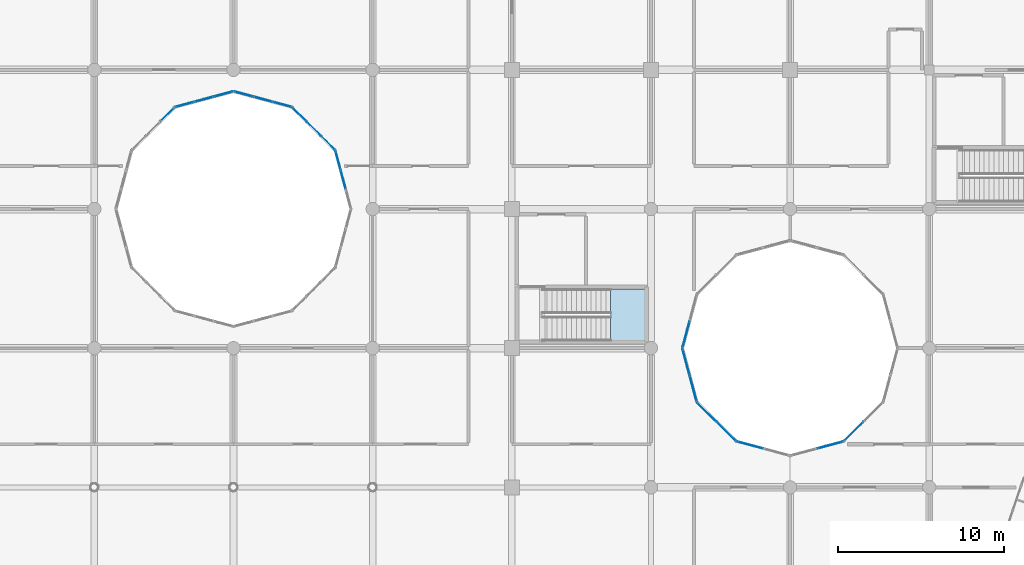
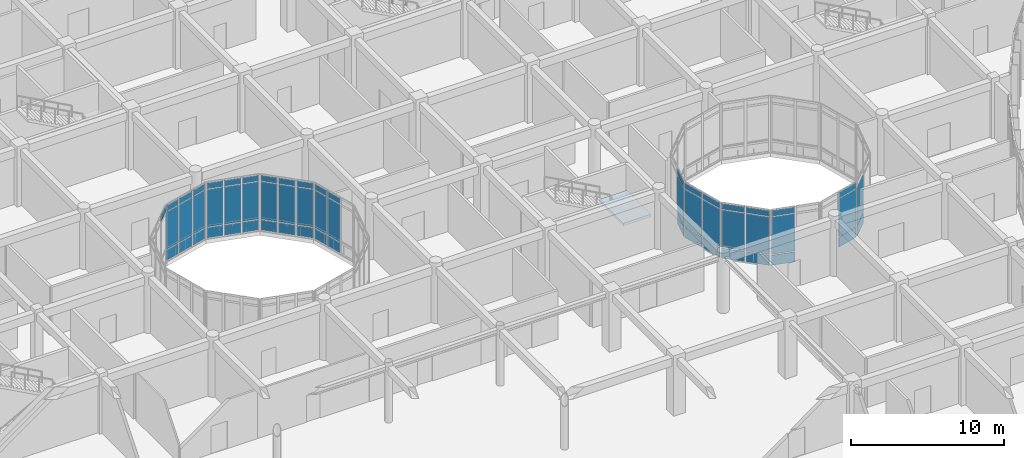
# One storey, part 74 of 138: 57 plates, 1 slab, 12 elements without a shape of their own.
"""IFC4 building model written with IfcOpenShell, lengths in metres."""

from ifc_helpers import new_model, si_unit, direction, frame, origin, origin_2d, place, context, subcontext, project, spatial, polyline, rectangle, outline, extrude, material, layer, layer_set, type_object, element, aggregate, save


model = new_model("IFC4")

# Units and contexts
model_context = context("Model", 3, precision=1e-05, world=origin(), true_north=direction((0.0, 1.0)))
body_context = subcontext(model_context, "Body", "Model", "MODEL_VIEW")
ifc_project = project(units=[si_unit("LENGTHUNIT", "METRE"), si_unit("AREAUNIT", "SQUARE_METRE"), si_unit("VOLUMEUNIT", "CUBIC_METRE"), si_unit("PLANEANGLEUNIT", "RADIAN"), si_unit("MASSUNIT", "GRAM", prefix="KILO")], contexts=[model_context])

# Site, building, storey
site_placement = place(None, origin())
site = spatial("IfcSite", under=ifc_project, at=site_placement, CompositionType="ELEMENT")
building_placement = place(site_placement, origin())
building = spatial("IfcBuilding", under=site, at=building_placement, Name="Bramfleet General Hospital", CompositionType="ELEMENT")
storey_placement = place(building_placement, origin())
storey = spatial("IfcBuildingStorey", under=building, at=storey_placement, Name="L00", CompositionType="ELEMENT", Elevation=0.0)

# Curtain wall, plates
ifc_material_1 = material(Name="Anodised aluminium and low-E triple glazing", Category="aluminium")
ifc_layer_1 = layer(ifc_material_1, 0.179931640625, Name="CWT-CW-15")
ifc_layer_set_1 = layer_set([ifc_layer_1], Name="Anodised aluminium and low-E triple glazing")
curtain_wall_type_1 = type_object("IfcCurtainWallType", Name="CWT-CW-15", PredefinedType="USERDEFINED", material=ifc_layer_set_1)
curtain_wall_1_placement = place(storey_placement, origin())
curtain_wall_1 = element("IfcCurtainWall", 1, at=curtain_wall_1_placement, inside=storey, type_object=curtain_wall_type_1, Name="L00 Central Diagnostic Light Court Curtain Wall 7.1", ObjectType="Stick curtain wall", PredefinedType="USERDEFINED")
ifc_material_2 = material(Name="Low-E laminated safety glass", Category="glass")
ifc_layer_2 = layer(ifc_material_2, 0.031982421875, Name="CWP-GLZ-2")
ifc_layer_set_2 = layer_set([ifc_layer_2], Name="Low-E laminated safety glass")
plate_type = type_object("IfcPlateType", Name="CWP-GLZ-2", PredefinedType="CURTAIN_PANEL", material=ifc_layer_set_2)
plate_1_placement = place(storey_placement, frame((90.62451171875, 77.375, 0.06494140625), z_axis=(0.0, 0.0, 1.0), x_axis=(-0.258763286618, 0.965940765005, 0.0)))
plate_1 = element("IfcPlate", 2, at=plate_1_placement, type_object=plate_type, Name="CW-15 panel 2.1", PredefinedType="CURTAIN_PANEL", context=body_context, shape_type="SweptSolid", body=[
    extrude(rectangle(XDim=1.155029296875, YDim=0.031982421875, at=origin_2d()), origin(), (0.0, 0.0, 1.0), 0.802490234375),
])
plate_2_placement = place(storey_placement, frame((90.62451171875, 77.375, 0.932373046875), z_axis=(0.0, 0.0, 1.0), x_axis=(-0.258763286618, 0.965940765005, 0.0)))
plate_2 = element("IfcPlate", 3, at=plate_2_placement, type_object=plate_type, Name="CW-15 panel 2.2", PredefinedType="CURTAIN_PANEL", context=body_context, shape_type="SweptSolid", body=[
    extrude(rectangle(XDim=1.155029296875, YDim=0.031982421875, at=origin_2d()), origin(), (0.0, 0.0, 1.0), 2.97509765625),
])
plate_3_placement = place(storey_placement, frame((90.62451171875, 77.375, 3.97265625), z_axis=(0.0, 0.0, 1.0), x_axis=(-0.258763286618, 0.965940765005, 0.0)))
plate_3 = element("IfcPlate", 4, at=plate_3_placement, type_object=plate_type, Name="CW-15 panel 2.3", PredefinedType="CURTAIN_PANEL", context=body_context, shape_type="SweptSolid", body=[
    extrude(rectangle(XDim=1.155029296875, YDim=0.031982421875, at=origin_2d()), origin(), (0.0, 0.0, 1.0), 0.452392578125),
])
plate_4_placement = place(storey_placement, frame((90.31201171875, 78.54150390625, 0.06494140625), z_axis=(0.0, 0.0, 1.0), x_axis=(-0.258763286618, 0.965940765005, 0.0)))
plate_4 = element("IfcPlate", 5, at=plate_4_placement, type_object=plate_type, Name="CW-15 panel 3.1", PredefinedType="CURTAIN_PANEL", context=body_context, shape_type="SweptSolid", body=[
    extrude(rectangle(XDim=1.1201171875, YDim=0.031982421875, at=origin_2d()), origin(), (0.0, 0.0, 1.0), 0.802490234375),
])
plate_5_placement = place(storey_placement, frame((90.31201171875, 78.54150390625, 0.932373046875), z_axis=(0.0, 0.0, 1.0), x_axis=(-0.258763286618, 0.965940765005, 0.0)))
plate_5 = element("IfcPlate", 6, at=plate_5_placement, type_object=plate_type, Name="CW-15 panel 3.2", PredefinedType="CURTAIN_PANEL", context=body_context, shape_type="SweptSolid", body=[
    extrude(rectangle(XDim=1.1201171875, YDim=0.031982421875, at=origin_2d()), origin(), (0.0, 0.0, 1.0), 2.97509765625),
])
plate_6_placement = place(storey_placement, frame((90.31201171875, 78.54150390625, 3.97265625), z_axis=(0.0, 0.0, 1.0), x_axis=(-0.258763286618, 0.965940765005, 0.0)))
plate_6 = element("IfcPlate", 7, at=plate_6_placement, type_object=plate_type, Name="CW-15 panel 3.3", PredefinedType="CURTAIN_PANEL", context=body_context, shape_type="SweptSolid", body=[
    extrude(rectangle(XDim=1.1201171875, YDim=0.031982421875, at=origin_2d()), origin(), (0.0, 0.0, 1.0), 0.452392578125),
])
aggregate(curtain_wall_1, [plate_1, plate_2, plate_3, plate_4, plate_5, plate_6])

ifc_layer_3 = layer(ifc_material_1, 0.179931640625, Name="CWT-CW-16")
ifc_layer_set_3 = layer_set([ifc_layer_3], Name="Anodised aluminium and low-E triple glazing")
curtain_wall_type_2 = type_object("IfcCurtainWallType", Name="CWT-CW-16", PredefinedType="USERDEFINED", material=ifc_layer_set_3)
curtain_wall_2_placement = place(storey_placement, origin())
curtain_wall_2 = element("IfcCurtainWall", 8, at=curtain_wall_2_placement, inside=storey, type_object=curtain_wall_type_2, Name="L00 Central Diagnostic Light Court Curtain Wall 8.1", ObjectType="Stick curtain wall", PredefinedType="USERDEFINED")
plate_7_placement = place(storey_placement, frame((89.703369140625, 79.595458984375, 0.06494140625), z_axis=(0.0, 0.0, 1.0), x_axis=(-0.707106781187, 0.707106781187, 0.0)))
plate_7 = element("IfcPlate", 9, at=plate_7_placement, type_object=plate_type, Name="CW-16 panel 1.1", PredefinedType="CURTAIN_PANEL", context=body_context, shape_type="SweptSolid", body=[
    extrude(rectangle(XDim=1.1201171875, YDim=0.031982421875, at=origin_2d()), origin(), (0.0, 0.0, 1.0), 0.802490234375),
])
plate_8_placement = place(storey_placement, frame((89.703369140625, 79.595458984375, 0.932373046875), z_axis=(0.0, 0.0, 1.0), x_axis=(-0.707106781187, 0.707106781187, 0.0)))
plate_8 = element("IfcPlate", 10, at=plate_8_placement, type_object=plate_type, Name="CW-16 panel 1.2", PredefinedType="CURTAIN_PANEL", context=body_context, shape_type="SweptSolid", body=[
    extrude(rectangle(XDim=1.1201171875, YDim=0.031982421875, at=origin_2d()), origin(), (0.0, 0.0, 1.0), 2.97509765625),
])
plate_9_placement = place(storey_placement, frame((89.703369140625, 79.595458984375, 3.97265625), z_axis=(0.0, 0.0, 1.0), x_axis=(-0.707106781187, 0.707106781187, 0.0)))
plate_9 = element("IfcPlate", 11, at=plate_9_placement, type_object=plate_type, Name="CW-16 panel 1.3", PredefinedType="CURTAIN_PANEL", context=body_context, shape_type="SweptSolid", body=[
    extrude(rectangle(XDim=1.1201171875, YDim=0.031982421875, at=origin_2d()), origin(), (0.0, 0.0, 1.0), 0.452392578125),
])
plate_10_placement = place(storey_placement, frame((88.849609375, 80.449462890625, 0.06494140625), z_axis=(0.0, 0.0, 1.0), x_axis=(-0.707106781187, 0.707106781187, 0.0)))
plate_10 = element("IfcPlate", 12, at=plate_10_placement, type_object=plate_type, Name="CW-16 panel 2.1", PredefinedType="CURTAIN_PANEL", context=body_context, shape_type="SweptSolid", body=[
    extrude(rectangle(XDim=1.1552734375, YDim=0.031982421875, at=origin_2d()), origin(), (0.0, 0.0, 1.0), 0.802490234375),
])
plate_11_placement = place(storey_placement, frame((88.849609375, 80.449462890625, 0.932373046875), z_axis=(0.0, 0.0, 1.0), x_axis=(-0.707106781187, 0.707106781187, 0.0)))
plate_11 = element("IfcPlate", 13, at=plate_11_placement, type_object=plate_type, Name="CW-16 panel 2.2", PredefinedType="CURTAIN_PANEL", context=body_context, shape_type="SweptSolid", body=[
    extrude(rectangle(XDim=1.1552734375, YDim=0.031982421875, at=origin_2d()), origin(), (0.0, 0.0, 1.0), 2.97509765625),
])
plate_12_placement = place(storey_placement, frame((88.849609375, 80.449462890625, 3.97265625), z_axis=(0.0, 0.0, 1.0), x_axis=(-0.707106781187, 0.707106781187, 0.0)))
plate_12 = element("IfcPlate", 14, at=plate_12_placement, type_object=plate_type, Name="CW-16 panel 2.3", PredefinedType="CURTAIN_PANEL", context=body_context, shape_type="SweptSolid", body=[
    extrude(rectangle(XDim=1.1552734375, YDim=0.031982421875, at=origin_2d()), origin(), (0.0, 0.0, 1.0), 0.452392578125),
])
plate_13_placement = place(storey_placement, frame((87.99560546875, 81.303466796875, 0.06494140625), z_axis=(0.0, 0.0, 1.0), x_axis=(-0.707106781187, 0.707106781187, 0.0)))
plate_13 = element("IfcPlate", 15, at=plate_13_placement, type_object=plate_type, Name="CW-16 panel 3.1", PredefinedType="CURTAIN_PANEL", context=body_context, shape_type="SweptSolid", body=[
    extrude(rectangle(XDim=1.1201171875, YDim=0.031982421875, at=origin_2d()), origin(), (0.0, 0.0, 1.0), 0.802490234375),
])
plate_14_placement = place(storey_placement, frame((87.99560546875, 81.303466796875, 0.932373046875), z_axis=(0.0, 0.0, 1.0), x_axis=(-0.707106781187, 0.707106781187, 0.0)))
plate_14 = element("IfcPlate", 16, at=plate_14_placement, type_object=plate_type, Name="CW-16 panel 3.2", PredefinedType="CURTAIN_PANEL", context=body_context, shape_type="SweptSolid", body=[
    extrude(rectangle(XDim=1.1201171875, YDim=0.031982421875, at=origin_2d()), origin(), (0.0, 0.0, 1.0), 2.97509765625),
])
plate_15_placement = place(storey_placement, frame((87.99560546875, 81.303466796875, 3.97265625), z_axis=(0.0, 0.0, 1.0), x_axis=(-0.707106781187, 0.707106781187, 0.0)))
plate_15 = element("IfcPlate", 17, at=plate_15_placement, type_object=plate_type, Name="CW-16 panel 3.3", PredefinedType="CURTAIN_PANEL", context=body_context, shape_type="SweptSolid", body=[
    extrude(rectangle(XDim=1.1201171875, YDim=0.031982421875, at=origin_2d()), origin(), (0.0, 0.0, 1.0), 0.452392578125),
])
aggregate(curtain_wall_2, [plate_7, plate_8, plate_9, plate_10, plate_11, plate_12, plate_13, plate_14, plate_15])

ifc_layer_4 = layer(ifc_material_1, 0.179931640625, Name="CWT-CW-17")
ifc_layer_set_4 = layer_set([ifc_layer_4], Name="Anodised aluminium and low-E triple glazing")
curtain_wall_type_3 = type_object("IfcCurtainWallType", Name="CWT-CW-17", PredefinedType="USERDEFINED", material=ifc_layer_set_4)
curtain_wall_3_placement = place(storey_placement, origin())
curtain_wall_3 = element("IfcCurtainWall", 18, at=curtain_wall_3_placement, inside=storey, type_object=curtain_wall_type_3, Name="L00 Central Diagnostic Light Court Curtain Wall 9.1", ObjectType="Stick curtain wall", PredefinedType="USERDEFINED")
plate_16_placement = place(storey_placement, frame((86.94140625, 81.912109375, 0.06494140625), z_axis=(0.0, 0.0, 1.0), x_axis=(-0.965940765005, 0.258763286618, 0.0)))
plate_16 = element("IfcPlate", 19, at=plate_16_placement, type_object=plate_type, Name="CW-17 panel 1.1", PredefinedType="CURTAIN_PANEL", context=body_context, shape_type="SweptSolid", body=[
    extrude(rectangle(XDim=1.1201171875, YDim=0.031982421875, at=origin_2d()), origin(), (0.0, 0.0, 1.0), 0.802490234375),
])
plate_17_placement = place(storey_placement, frame((86.94140625, 81.912109375, 0.932373046875), z_axis=(0.0, 0.0, 1.0), x_axis=(-0.965940765005, 0.258763286618, 0.0)))
plate_17 = element("IfcPlate", 20, at=plate_17_placement, type_object=plate_type, Name="CW-17 panel 1.2", PredefinedType="CURTAIN_PANEL", context=body_context, shape_type="SweptSolid", body=[
    extrude(rectangle(XDim=1.1201171875, YDim=0.031982421875, at=origin_2d()), origin(), (0.0, 0.0, 1.0), 2.97509765625),
])
plate_18_placement = place(storey_placement, frame((86.94140625, 81.912109375, 3.97265625), z_axis=(0.0, 0.0, 1.0), x_axis=(-0.965940765005, 0.258763286618, 0.0)))
plate_18 = element("IfcPlate", 21, at=plate_18_placement, type_object=plate_type, Name="CW-17 panel 1.3", PredefinedType="CURTAIN_PANEL", context=body_context, shape_type="SweptSolid", body=[
    extrude(rectangle(XDim=1.1201171875, YDim=0.031982421875, at=origin_2d()), origin(), (0.0, 0.0, 1.0), 0.452392578125),
])
plate_19_placement = place(storey_placement, frame((85.77490234375, 82.224609375, 0.06494140625), z_axis=(0.0, 0.0, 1.0), x_axis=(-0.965940765005, 0.258763286618, 0.0)))
plate_19 = element("IfcPlate", 22, at=plate_19_placement, type_object=plate_type, Name="CW-17 panel 2.1", PredefinedType="CURTAIN_PANEL", context=body_context, shape_type="SweptSolid", body=[
    extrude(rectangle(XDim=1.155029296875, YDim=0.031982421875, at=origin_2d()), origin(), (0.0, 0.0, 1.0), 0.802490234375),
])
plate_20_placement = place(storey_placement, frame((85.77490234375, 82.224609375, 0.932373046875), z_axis=(0.0, 0.0, 1.0), x_axis=(-0.965940765005, 0.258763286618, 0.0)))
plate_20 = element("IfcPlate", 23, at=plate_20_placement, type_object=plate_type, Name="CW-17 panel 2.2", PredefinedType="CURTAIN_PANEL", context=body_context, shape_type="SweptSolid", body=[
    extrude(rectangle(XDim=1.155029296875, YDim=0.031982421875, at=origin_2d()), origin(), (0.0, 0.0, 1.0), 2.97509765625),
])
plate_21_placement = place(storey_placement, frame((85.77490234375, 82.224609375, 3.97265625), z_axis=(0.0, 0.0, 1.0), x_axis=(-0.965940765005, 0.258763286618, 0.0)))
plate_21 = element("IfcPlate", 24, at=plate_21_placement, type_object=plate_type, Name="CW-17 panel 2.3", PredefinedType="CURTAIN_PANEL", context=body_context, shape_type="SweptSolid", body=[
    extrude(rectangle(XDim=1.155029296875, YDim=0.031982421875, at=origin_2d()), origin(), (0.0, 0.0, 1.0), 0.452392578125),
])
plate_22_placement = place(storey_placement, frame((84.608642578125, 82.536865234375, 0.06494140625), z_axis=(0.0, 0.0, 1.0), x_axis=(-0.965940765005, 0.258763286618, 0.0)))
plate_22 = element("IfcPlate", 25, at=plate_22_placement, type_object=plate_type, Name="CW-17 panel 3.1", PredefinedType="CURTAIN_PANEL", context=body_context, shape_type="SweptSolid", body=[
    extrude(rectangle(XDim=1.1201171875, YDim=0.031982421875, at=origin_2d()), origin(), (0.0, 0.0, 1.0), 0.802490234375),
])
plate_23_placement = place(storey_placement, frame((84.608642578125, 82.536865234375, 0.932373046875), z_axis=(0.0, 0.0, 1.0), x_axis=(-0.965940765005, 0.258763286618, 0.0)))
plate_23 = element("IfcPlate", 26, at=plate_23_placement, type_object=plate_type, Name="CW-17 panel 3.2", PredefinedType="CURTAIN_PANEL", context=body_context, shape_type="SweptSolid", body=[
    extrude(rectangle(XDim=1.1201171875, YDim=0.031982421875, at=origin_2d()), origin(), (0.0, 0.0, 1.0), 2.97509765625),
])
plate_24_placement = place(storey_placement, frame((84.608642578125, 82.536865234375, 3.97265625), z_axis=(0.0, 0.0, 1.0), x_axis=(-0.965940765005, 0.258763286618, 0.0)))
plate_24 = element("IfcPlate", 27, at=plate_24_placement, type_object=plate_type, Name="CW-17 panel 3.3", PredefinedType="CURTAIN_PANEL", context=body_context, shape_type="SweptSolid", body=[
    extrude(rectangle(XDim=1.1201171875, YDim=0.031982421875, at=origin_2d()), origin(), (0.0, 0.0, 1.0), 0.452392578125),
])
aggregate(curtain_wall_3, [plate_16, plate_17, plate_18, plate_19, plate_20, plate_21, plate_22, plate_23, plate_24])

ifc_layer_5 = layer(ifc_material_1, 0.179931640625, Name="CWT-CW-18")
ifc_layer_set_5 = layer_set([ifc_layer_5], Name="Anodised aluminium and low-E triple glazing")
curtain_wall_type_4 = type_object("IfcCurtainWallType", Name="CWT-CW-18", PredefinedType="USERDEFINED", material=ifc_layer_set_5)
curtain_wall_4_placement = place(storey_placement, origin())
curtain_wall_4 = element("IfcCurtainWall", 28, at=curtain_wall_4_placement, inside=storey, type_object=curtain_wall_type_4, Name="L00 Central Diagnostic Light Court Curtain Wall 10.1", ObjectType="Stick curtain wall", PredefinedType="USERDEFINED")
plate_25_placement = place(storey_placement, frame((83.391357421875, 82.536865234375, 0.06494140625), z_axis=(0.0, 0.0, 1.0), x_axis=(-0.965940765005, -0.258763286618, 0.0)))
plate_25 = element("IfcPlate", 29, at=plate_25_placement, type_object=plate_type, Name="CW-18 panel 1.1", PredefinedType="CURTAIN_PANEL", context=body_context, shape_type="SweptSolid", body=[
    extrude(rectangle(XDim=1.1201171875, YDim=0.031982421875, at=origin_2d()), origin(), (0.0, 0.0, 1.0), 0.802490234375),
])
plate_26_placement = place(storey_placement, frame((83.391357421875, 82.536865234375, 0.932373046875), z_axis=(0.0, 0.0, 1.0), x_axis=(-0.965940765005, -0.258763286618, 0.0)))
plate_26 = element("IfcPlate", 30, at=plate_26_placement, type_object=plate_type, Name="CW-18 panel 1.2", PredefinedType="CURTAIN_PANEL", context=body_context, shape_type="SweptSolid", body=[
    extrude(rectangle(XDim=1.1201171875, YDim=0.031982421875, at=origin_2d()), origin(), (0.0, 0.0, 1.0), 2.97509765625),
])
plate_27_placement = place(storey_placement, frame((83.391357421875, 82.536865234375, 3.97265625), z_axis=(0.0, 0.0, 1.0), x_axis=(-0.965940765005, -0.258763286618, 0.0)))
plate_27 = element("IfcPlate", 31, at=plate_27_placement, type_object=plate_type, Name="CW-18 panel 1.3", PredefinedType="CURTAIN_PANEL", context=body_context, shape_type="SweptSolid", body=[
    extrude(rectangle(XDim=1.1201171875, YDim=0.031982421875, at=origin_2d()), origin(), (0.0, 0.0, 1.0), 0.452392578125),
])
plate_28_placement = place(storey_placement, frame((82.22509765625, 82.224609375, 0.06494140625), z_axis=(0.0, 0.0, 1.0), x_axis=(-0.965940765005, -0.258763286618, 0.0)))
plate_28 = element("IfcPlate", 32, at=plate_28_placement, type_object=plate_type, Name="CW-18 panel 2.1", PredefinedType="CURTAIN_PANEL", context=body_context, shape_type="SweptSolid", body=[
    extrude(rectangle(XDim=1.155029296875, YDim=0.031982421875, at=origin_2d()), origin(), (0.0, 0.0, 1.0), 0.802490234375),
])
plate_29_placement = place(storey_placement, frame((82.22509765625, 82.224609375, 0.932373046875), z_axis=(0.0, 0.0, 1.0), x_axis=(-0.965940765005, -0.258763286618, 0.0)))
plate_29 = element("IfcPlate", 33, at=plate_29_placement, type_object=plate_type, Name="CW-18 panel 2.2", PredefinedType="CURTAIN_PANEL", context=body_context, shape_type="SweptSolid", body=[
    extrude(rectangle(XDim=1.155029296875, YDim=0.031982421875, at=origin_2d()), origin(), (0.0, 0.0, 1.0), 2.97509765625),
])
plate_30_placement = place(storey_placement, frame((82.22509765625, 82.224609375, 3.97265625), z_axis=(0.0, 0.0, 1.0), x_axis=(-0.965940765005, -0.258763286618, 0.0)))
plate_30 = element("IfcPlate", 34, at=plate_30_placement, type_object=plate_type, Name="CW-18 panel 2.3", PredefinedType="CURTAIN_PANEL", context=body_context, shape_type="SweptSolid", body=[
    extrude(rectangle(XDim=1.155029296875, YDim=0.031982421875, at=origin_2d()), origin(), (0.0, 0.0, 1.0), 0.452392578125),
])
plate_31_placement = place(storey_placement, frame((81.05859375, 81.912109375, 0.06494140625), z_axis=(0.0, 0.0, 1.0), x_axis=(-0.965940765005, -0.258763286618, 0.0)))
plate_31 = element("IfcPlate", 35, at=plate_31_placement, type_object=plate_type, Name="CW-18 panel 3.1", PredefinedType="CURTAIN_PANEL", context=body_context, shape_type="SweptSolid", body=[
    extrude(rectangle(XDim=1.1201171875, YDim=0.031982421875, at=origin_2d()), origin(), (0.0, 0.0, 1.0), 0.802490234375),
])
plate_32_placement = place(storey_placement, frame((81.05859375, 81.912109375, 0.932373046875), z_axis=(0.0, 0.0, 1.0), x_axis=(-0.965940765005, -0.258763286618, 0.0)))
plate_32 = element("IfcPlate", 36, at=plate_32_placement, type_object=plate_type, Name="CW-18 panel 3.2", PredefinedType="CURTAIN_PANEL", context=body_context, shape_type="SweptSolid", body=[
    extrude(rectangle(XDim=1.1201171875, YDim=0.031982421875, at=origin_2d()), origin(), (0.0, 0.0, 1.0), 2.97509765625),
])
plate_33_placement = place(storey_placement, frame((81.05859375, 81.912109375, 3.97265625), z_axis=(0.0, 0.0, 1.0), x_axis=(-0.965940765005, -0.258763286618, 0.0)))
plate_33 = element("IfcPlate", 37, at=plate_33_placement, type_object=plate_type, Name="CW-18 panel 3.3", PredefinedType="CURTAIN_PANEL", context=body_context, shape_type="SweptSolid", body=[
    extrude(rectangle(XDim=1.1201171875, YDim=0.031982421875, at=origin_2d()), origin(), (0.0, 0.0, 1.0), 0.452392578125),
])
aggregate(curtain_wall_4, [plate_25, plate_26, plate_27, plate_28, plate_29, plate_30, plate_31, plate_32, plate_33])

# Curtain wall, plate
ifc_layer_6 = layer(ifc_material_1, 0.179931640625, Name="CWT-CW-11")
ifc_layer_set_6 = layer_set([ifc_layer_6], Name="Anodised aluminium and low-E triple glazing")
curtain_wall_type_5 = type_object("IfcCurtainWallType", Name="CWT-CW-11", PredefinedType="USERDEFINED", material=ifc_layer_set_6)
curtain_wall_5_placement = place(storey_placement, origin())
curtain_wall_5 = element("IfcCurtainWall", 38, at=curtain_wall_5_placement, inside=storey, type_object=curtain_wall_type_5, Name="L00 Central Diagnostic Light Court Curtain Wall 11.1", ObjectType="Stick curtain wall", PredefinedType="USERDEFINED")
plate_34_placement = place(storey_placement, frame((80.00439453125, 81.303466796875, 3.97265625), z_axis=(0.0, 0.0, 1.0), x_axis=(-0.707106781187, -0.707106781187, 0.0)))
plate_34 = element("IfcPlate", 39, at=plate_34_placement, type_object=plate_type, Name="CW-11 panel 1.3", PredefinedType="CURTAIN_PANEL", context=body_context, shape_type="SweptSolid", body=[
    extrude(rectangle(XDim=1.1201171875, YDim=0.031982421875, at=origin_2d()), origin(), (0.0, 0.0, 1.0), 0.452392578125),
])
aggregate(curtain_wall_5, [plate_34])

# Curtain wall, plates
ifc_layer_7 = layer(ifc_material_1, 0.179931640625, Name="CWT-CW-13")
ifc_layer_set_7 = layer_set([ifc_layer_7], Name="Anodised aluminium and low-E triple glazing")
curtain_wall_type_6 = type_object("IfcCurtainWallType", Name="CWT-CW-13", PredefinedType="USERDEFINED", material=ifc_layer_set_7)
curtain_wall_6_placement = place(storey_placement, origin())
curtain_wall_6 = element("IfcCurtainWall", 40, at=curtain_wall_6_placement, inside=storey, type_object=curtain_wall_type_6, Name="L00 East Laboratory Light Court Curtain Wall 1.1", ObjectType="Stick curtain wall", PredefinedType="USERDEFINED")
plate_35_placement = place(storey_placement, frame((111.322265625, 66.37060546875, 0.06494140625), z_axis=(0.0, 0.0, 1.0), x_axis=(0.258864833085, -0.965913556273, 0.0)))
plate_35 = element("IfcPlate", 41, at=plate_35_placement, type_object=plate_type, Name="CW-13 panel 1.1", PredefinedType="CURTAIN_PANEL", context=body_context, shape_type="SweptSolid", body=[
    extrude(rectangle(XDim=1.577392578125, YDim=0.031982421875, at=origin_2d()), origin(), (0.0, 0.0, 1.0), 0.802490234375),
])
plate_36_placement = place(storey_placement, frame((111.322265625, 66.37060546875, 0.932373046875), z_axis=(0.0, 0.0, 1.0), x_axis=(0.258864833085, -0.965913556273, 0.0)))
plate_36 = element("IfcPlate", 42, at=plate_36_placement, type_object=plate_type, Name="CW-13 panel 1.2", PredefinedType="CURTAIN_PANEL", context=body_context, shape_type="SweptSolid", body=[
    extrude(rectangle(XDim=1.577392578125, YDim=0.031982421875, at=origin_2d()), origin(), (0.0, 0.0, 1.0), 2.97509765625),
])
plate_37_placement = place(storey_placement, frame((111.322265625, 66.37060546875, 3.97265625), z_axis=(0.0, 0.0, 1.0), x_axis=(0.258864833085, -0.965913556273, 0.0)))
plate_37 = element("IfcPlate", 43, at=plate_37_placement, type_object=plate_type, Name="CW-13 panel 1.3", PredefinedType="CURTAIN_PANEL", context=body_context, shape_type="SweptSolid", body=[
    extrude(rectangle(XDim=1.577392578125, YDim=0.031982421875, at=origin_2d()), origin(), (0.0, 0.0, 1.0), 0.452392578125),
])
plate_38_placement = place(storey_placement, frame((111.748779296875, 64.779296875, 0.06494140625), z_axis=(0.0, 0.0, 1.0), x_axis=(0.258864833085, -0.965913556273, 0.0)))
plate_38 = element("IfcPlate", 44, at=plate_38_placement, type_object=plate_type, Name="CW-13 panel 2.1", PredefinedType="CURTAIN_PANEL", context=body_context, shape_type="SweptSolid", body=[
    extrude(rectangle(XDim=1.577392578125, YDim=0.031982421875, at=origin_2d()), origin(), (0.0, 0.0, 1.0), 0.802490234375),
])
plate_39_placement = place(storey_placement, frame((111.748779296875, 64.779296875, 0.932373046875), z_axis=(0.0, 0.0, 1.0), x_axis=(0.258864833085, -0.965913556273, 0.0)))
plate_39 = element("IfcPlate", 45, at=plate_39_placement, type_object=plate_type, Name="CW-13 panel 2.2", PredefinedType="CURTAIN_PANEL", context=body_context, shape_type="SweptSolid", body=[
    extrude(rectangle(XDim=1.577392578125, YDim=0.031982421875, at=origin_2d()), origin(), (0.0, 0.0, 1.0), 2.97509765625),
])
plate_40_placement = place(storey_placement, frame((111.748779296875, 64.779296875, 3.97265625), z_axis=(0.0, 0.0, 1.0), x_axis=(0.258864833085, -0.965913556273, 0.0)))
plate_40 = element("IfcPlate", 46, at=plate_40_placement, type_object=plate_type, Name="CW-13 panel 2.3", PredefinedType="CURTAIN_PANEL", context=body_context, shape_type="SweptSolid", body=[
    extrude(rectangle(XDim=1.577392578125, YDim=0.031982421875, at=origin_2d()), origin(), (0.0, 0.0, 1.0), 0.452392578125),
])
aggregate(curtain_wall_6, [plate_35, plate_36, plate_37, plate_38, plate_39, plate_40])

ifc_layer_8 = layer(ifc_material_1, 0.179931640625, Name="CWT-CW-14")
ifc_layer_set_8 = layer_set([ifc_layer_8], Name="Anodised aluminium and low-E triple glazing")
curtain_wall_type_7 = type_object("IfcCurtainWallType", Name="CWT-CW-14", PredefinedType="USERDEFINED", material=ifc_layer_set_8)
curtain_wall_7_placement = place(storey_placement, origin())
curtain_wall_7 = element("IfcCurtainWall", 47, at=curtain_wall_7_placement, inside=storey, type_object=curtain_wall_type_7, Name="L00 East Laboratory Light Court Curtain Wall 2.1", ObjectType="Stick curtain wall", PredefinedType="USERDEFINED")
plate_41_placement = place(storey_placement, frame((112.578125, 63.3427734375, 0.06494140625), z_axis=(0.0, 0.0, 1.0), x_axis=(0.707106781187, -0.707106781187, 0.0)))
plate_41 = element("IfcPlate", 48, at=plate_41_placement, type_object=plate_type, Name="CW-14 panel 1.1", PredefinedType="CURTAIN_PANEL", context=body_context, shape_type="SweptSolid", body=[
    extrude(rectangle(XDim=1.5771484375, YDim=0.031982421875, at=origin_2d()), origin(), (0.0, 0.0, 1.0), 0.802490234375),
])
plate_42_placement = place(storey_placement, frame((112.578125, 63.3427734375, 0.932373046875), z_axis=(0.0, 0.0, 1.0), x_axis=(0.707106781187, -0.707106781187, 0.0)))
plate_42 = element("IfcPlate", 49, at=plate_42_placement, type_object=plate_type, Name="CW-14 panel 1.2", PredefinedType="CURTAIN_PANEL", context=body_context, shape_type="SweptSolid", body=[
    extrude(rectangle(XDim=1.5771484375, YDim=0.031982421875, at=origin_2d()), origin(), (0.0, 0.0, 1.0), 2.97509765625),
])
plate_43_placement = place(storey_placement, frame((112.578125, 63.3427734375, 3.97265625), z_axis=(0.0, 0.0, 1.0), x_axis=(0.707106781187, -0.707106781187, 0.0)))
plate_43 = element("IfcPlate", 50, at=plate_43_placement, type_object=plate_type, Name="CW-14 panel 1.3", PredefinedType="CURTAIN_PANEL", context=body_context, shape_type="SweptSolid", body=[
    extrude(rectangle(XDim=1.5771484375, YDim=0.031982421875, at=origin_2d()), origin(), (0.0, 0.0, 1.0), 0.452392578125),
])
plate_44_placement = place(storey_placement, frame((113.742919921875, 62.17822265625, 0.06494140625), z_axis=(0.0, 0.0, 1.0), x_axis=(0.707106781187, -0.707106781187, 0.0)))
plate_44 = element("IfcPlate", 51, at=plate_44_placement, type_object=plate_type, Name="CW-14 panel 2.1", PredefinedType="CURTAIN_PANEL", context=body_context, shape_type="SweptSolid", body=[
    extrude(rectangle(XDim=1.5771484375, YDim=0.031982421875, at=origin_2d()), origin(), (0.0, 0.0, 1.0), 0.802490234375),
])
plate_45_placement = place(storey_placement, frame((113.742919921875, 62.17822265625, 0.932373046875), z_axis=(0.0, 0.0, 1.0), x_axis=(0.707106781187, -0.707106781187, 0.0)))
plate_45 = element("IfcPlate", 52, at=plate_45_placement, type_object=plate_type, Name="CW-14 panel 2.2", PredefinedType="CURTAIN_PANEL", context=body_context, shape_type="SweptSolid", body=[
    extrude(rectangle(XDim=1.5771484375, YDim=0.031982421875, at=origin_2d()), origin(), (0.0, 0.0, 1.0), 2.97509765625),
])
plate_46_placement = place(storey_placement, frame((113.742919921875, 62.17822265625, 3.97265625), z_axis=(0.0, 0.0, 1.0), x_axis=(0.707106781187, -0.707106781187, 0.0)))
plate_46 = element("IfcPlate", 53, at=plate_46_placement, type_object=plate_type, Name="CW-14 panel 2.3", PredefinedType="CURTAIN_PANEL", context=body_context, shape_type="SweptSolid", body=[
    extrude(rectangle(XDim=1.5771484375, YDim=0.031982421875, at=origin_2d()), origin(), (0.0, 0.0, 1.0), 0.452392578125),
])
aggregate(curtain_wall_7, [plate_41, plate_42, plate_43, plate_44, plate_45, plate_46])

curtain_wall_8_placement = place(storey_placement, origin())
curtain_wall_8 = element("IfcCurtainWall", 54, at=curtain_wall_8_placement, inside=storey, type_object=curtain_wall_type_1, Name="L00 East Laboratory Light Court Curtain Wall 3.1", ObjectType="Stick curtain wall", PredefinedType="USERDEFINED")
plate_47_placement = place(storey_placement, frame((115.179443359375, 61.3486328125, 0.06494140625), z_axis=(0.0, 0.0, 1.0), x_axis=(0.965913556273, -0.258864833085, 0.0)))
plate_47 = element("IfcPlate", 55, at=plate_47_placement, type_object=plate_type, Name="CW-15 panel 1.1", PredefinedType="CURTAIN_PANEL", context=body_context, shape_type="SweptSolid", body=[
    extrude(rectangle(XDim=1.577392578125, YDim=0.031982421875, at=origin_2d()), origin(), (0.0, 0.0, 1.0), 0.802490234375),
])
plate_48_placement = place(storey_placement, frame((115.179443359375, 61.3486328125, 0.932373046875), z_axis=(0.0, 0.0, 1.0), x_axis=(0.965913556273, -0.258864833085, 0.0)))
plate_48 = element("IfcPlate", 56, at=plate_48_placement, type_object=plate_type, Name="CW-15 panel 1.2", PredefinedType="CURTAIN_PANEL", context=body_context, shape_type="SweptSolid", body=[
    extrude(rectangle(XDim=1.577392578125, YDim=0.031982421875, at=origin_2d()), origin(), (0.0, 0.0, 1.0), 2.97509765625),
])
plate_49_placement = place(storey_placement, frame((115.179443359375, 61.3486328125, 3.97265625), z_axis=(0.0, 0.0, 1.0), x_axis=(0.965913556273, -0.258864833085, 0.0)))
plate_49 = element("IfcPlate", 57, at=plate_49_placement, type_object=plate_type, Name="CW-15 panel 1.3", PredefinedType="CURTAIN_PANEL", context=body_context, shape_type="SweptSolid", body=[
    extrude(rectangle(XDim=1.577392578125, YDim=0.031982421875, at=origin_2d()), origin(), (0.0, 0.0, 1.0), 0.452392578125),
])
aggregate(curtain_wall_8, [plate_47, plate_48, plate_49])

curtain_wall_9_placement = place(storey_placement, origin())
curtain_wall_9 = element("IfcCurtainWall", 58, at=curtain_wall_9_placement, inside=storey, type_object=curtain_wall_type_2, Name="L00 East Laboratory Light Court Curtain Wall 4.1", ObjectType="Stick curtain wall", PredefinedType="USERDEFINED")
plate_50_placement = place(storey_placement, frame((120.0205078125, 61.3486328125, 0.06494140625), z_axis=(0.0, 0.0, 1.0), x_axis=(0.965913556273, 0.258864833085, 0.0)))
plate_50 = element("IfcPlate", 59, at=plate_50_placement, type_object=plate_type, Name="CW-16 panel 2.1", PredefinedType="CURTAIN_PANEL", context=body_context, shape_type="SweptSolid", body=[
    extrude(rectangle(XDim=1.577392578125, YDim=0.031982421875, at=origin_2d()), origin(), (0.0, 0.0, 1.0), 0.802490234375),
])
plate_51_placement = place(storey_placement, frame((120.0205078125, 61.3486328125, 0.932373046875), z_axis=(0.0, 0.0, 1.0), x_axis=(0.965913556273, 0.258864833085, 0.0)))
plate_51 = element("IfcPlate", 60, at=plate_51_placement, type_object=plate_type, Name="CW-16 panel 2.2", PredefinedType="CURTAIN_PANEL", context=body_context, shape_type="SweptSolid", body=[
    extrude(rectangle(XDim=1.577392578125, YDim=0.031982421875, at=origin_2d()), origin(), (0.0, 0.0, 1.0), 2.97509765625),
])
plate_52_placement = place(storey_placement, frame((120.0205078125, 61.3486328125, 3.97265625), z_axis=(0.0, 0.0, 1.0), x_axis=(0.965913556273, 0.258864833085, 0.0)))
plate_52 = element("IfcPlate", 61, at=plate_52_placement, type_object=plate_type, Name="CW-16 panel 2.3", PredefinedType="CURTAIN_PANEL", context=body_context, shape_type="SweptSolid", body=[
    extrude(rectangle(XDim=1.577392578125, YDim=0.031982421875, at=origin_2d()), origin(), (0.0, 0.0, 1.0), 0.452392578125),
])
aggregate(curtain_wall_9, [plate_50, plate_51, plate_52])

curtain_wall_10_placement = place(storey_placement, origin())
curtain_wall_10 = element("IfcCurtainWall", 62, at=curtain_wall_10_placement, inside=storey, type_object=curtain_wall_type_3, Name="L00 East Laboratory Light Court Curtain Wall 5.1", ObjectType="Stick curtain wall", PredefinedType="USERDEFINED")
plate_53_placement = place(storey_placement, frame((121.45703125, 62.17822265625, 0.06494140625), z_axis=(0.0, 0.0, 1.0), x_axis=(0.707106781187, 0.707106781187, 0.0)))
plate_53 = element("IfcPlate", 63, at=plate_53_placement, type_object=plate_type, Name="CW-17 panel 1.1", PredefinedType="CURTAIN_PANEL", context=body_context, shape_type="SweptSolid", body=[
    extrude(rectangle(XDim=1.5771484375, YDim=0.031982421875, at=origin_2d()), origin(), (0.0, 0.0, 1.0), 0.802490234375),
])
plate_54_placement = place(storey_placement, frame((121.45703125, 62.17822265625, 0.932373046875), z_axis=(0.0, 0.0, 1.0), x_axis=(0.707106781187, 0.707106781187, 0.0)))
plate_54 = element("IfcPlate", 64, at=plate_54_placement, type_object=plate_type, Name="CW-17 panel 1.2", PredefinedType="CURTAIN_PANEL", context=body_context, shape_type="SweptSolid", body=[
    extrude(rectangle(XDim=1.5771484375, YDim=0.031982421875, at=origin_2d()), origin(), (0.0, 0.0, 1.0), 2.97509765625),
])
aggregate(curtain_wall_10, [plate_53, plate_54])

curtain_wall_11_placement = place(storey_placement, origin())
curtain_wall_11 = element("IfcCurtainWall", 65, at=curtain_wall_11_placement, inside=storey, type_object=curtain_wall_type_2, Name="L00 East Laboratory Light Court Curtain Wall 12.1", ObjectType="Stick curtain wall", PredefinedType="USERDEFINED")
plate_55_placement = place(storey_placement, frame((111.322265625, 68.029296875, 0.06494140625), z_axis=(0.0, 0.0, 1.0), x_axis=(-0.258864833085, -0.965913556273, 0.0)))
plate_55 = element("IfcPlate", 66, at=plate_55_placement, type_object=plate_type, Name="CW-16 panel 2.1", PredefinedType="CURTAIN_PANEL", context=body_context, shape_type="SweptSolid", body=[
    extrude(rectangle(XDim=1.577392578125, YDim=0.031982421875, at=origin_2d()), origin(), (0.0, 0.0, 1.0), 0.802490234375),
])
plate_56_placement = place(storey_placement, frame((111.322265625, 68.029296875, 0.932373046875), z_axis=(0.0, 0.0, 1.0), x_axis=(-0.258864833085, -0.965913556273, 0.0)))
plate_56 = element("IfcPlate", 67, at=plate_56_placement, type_object=plate_type, Name="CW-16 panel 2.2", PredefinedType="CURTAIN_PANEL", context=body_context, shape_type="SweptSolid", body=[
    extrude(rectangle(XDim=1.577392578125, YDim=0.031982421875, at=origin_2d()), origin(), (0.0, 0.0, 1.0), 2.97509765625),
])
plate_57_placement = place(storey_placement, frame((111.322265625, 68.029296875, 3.97265625), z_axis=(0.0, 0.0, 1.0), x_axis=(-0.258864833085, -0.965913556273, 0.0)))
plate_57 = element("IfcPlate", 68, at=plate_57_placement, type_object=plate_type, Name="CW-16 panel 2.3", PredefinedType="CURTAIN_PANEL", context=body_context, shape_type="SweptSolid", body=[
    extrude(rectangle(XDim=1.577392578125, YDim=0.031982421875, at=origin_2d()), origin(), (0.0, 0.0, 1.0), 0.452392578125),
])
aggregate(curtain_wall_11, [plate_55, plate_56, plate_57])

# Stair, slab
ifc_material_3 = material(Name="Concrete C35/45", Category="concrete")
stair_type = type_object("IfcStairType", Name="STR-T2", PredefinedType="HALF_TURN_STAIR", material=ifc_material_3)
stair_placement = place(storey_placement, origin())
stair = element("IfcStair", 69, at=stair_placement, inside=storey, type_object=stair_type, Name="L00 Core C11 (Central Spine Escape) Protected Escape Stair", PredefinedType="HALF_TURN_STAIR")
ifc_layer_9 = layer(ifc_material_3, 0.199951171875, Name="SL-LND-200")
ifc_layer_set_9 = layer_set([ifc_layer_9], Name="Concrete C35/45")
slab_type = type_object("IfcSlabType", Name="SL-LND-200", PredefinedType="LANDING", material=ifc_layer_set_9)
slab_placement = place(storey_placement, frame((0.0, 0.0, 2.199951171875)))
slab = element("IfcSlab", 70, at=slab_placement, type_object=slab_type, Name="ST-C11 landing 1", PredefinedType="LANDING", context=body_context, shape_type="SweptSolid", body=[
    extrude(outline(polyline([(106.77001953125, 67.6201171875), (108.860107421875, 67.6201171875), (108.860107421875, 70.780029296875), (106.77001953125, 70.780029296875), (106.77001953125, 67.6201171875)])), origin(), (0.0, 0.0, 1.0), 0.199951171875),
])
aggregate(stair, [slab])

save(model, "model.ifc")
